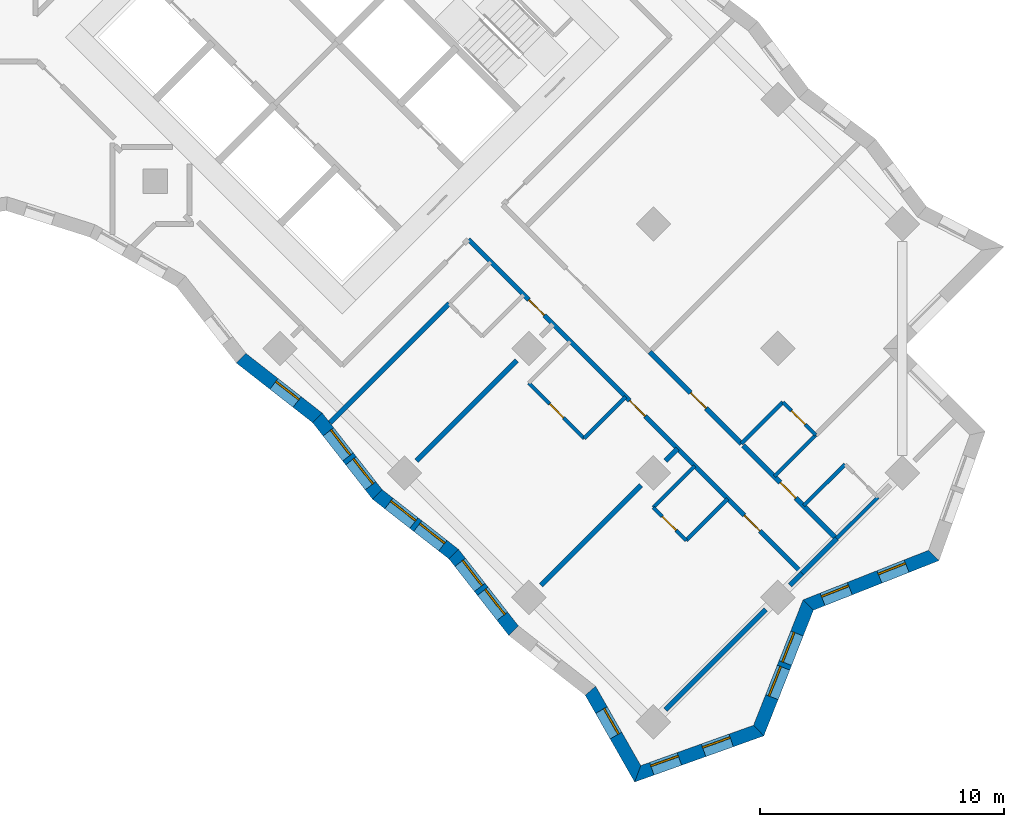
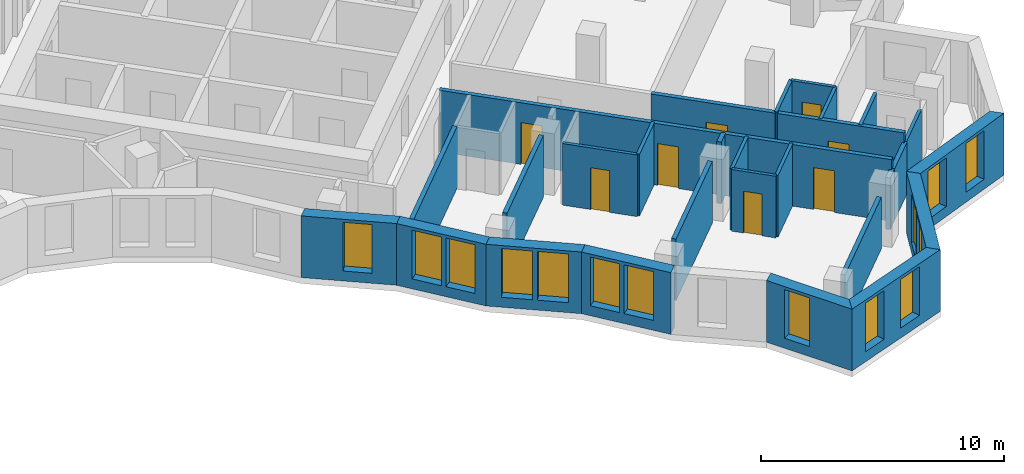
# One storey, part 8 of 13: 28 walls, 14 windows, 8 doors, 22 openings.
"""IFC4 building model written with IfcOpenShell, lengths in metres."""

from ifc_helpers import new_model, si_unit, direction, frame, frame_2d, origin, place, context, subcontext, project, spatial, polyline, rectangle, outline, extrude, material, layer, layer_set, type_object, element, fill, save


model = new_model("IFC4")

# Units and contexts
model_context = context("Model", 3, precision=1e-05, world=origin(), true_north=direction((0.0, 1.0)))
body_context = subcontext(model_context, "Body", "Model", "MODEL_VIEW")
ifc_project = project(units=[si_unit("LENGTHUNIT", "METRE"), si_unit("AREAUNIT", "SQUARE_METRE"), si_unit("VOLUMEUNIT", "CUBIC_METRE"), si_unit("PLANEANGLEUNIT", "RADIAN"), si_unit("MASSUNIT", "GRAM", prefix="KILO")], contexts=[model_context])

# Site, building, storey
site_placement = place(None, origin())
site = spatial("IfcSite", under=ifc_project, at=site_placement, CompositionType="ELEMENT")
building_placement = place(site_placement, origin())
building = spatial("IfcBuilding", under=site, at=building_placement, Name="Windrow Commons", CompositionType="ELEMENT")
storey_placement = place(building_placement, frame((0.0, 0.0, 101.6)))
storey = spatial("IfcBuildingStorey", under=building, at=storey_placement, Name="L27", CompositionType="ELEMENT", Elevation=101.6)

# Wall, openings, windows
ifc_material_1 = material(Name="Brick masonry, red clay brick", Category="masonry")
ifc_layer_1 = layer(ifc_material_1, 0.55)
ifc_layer_set_1 = layer_set([ifc_layer_1], Name="Brick facade wall 550")
wall_type_1 = type_object("IfcWallType", Name="Brick facade wall 550", PredefinedType="SOLIDWALL", material=ifc_layer_set_1)
wall_1_placement = place(storey_placement, frame((98.9244, 18.9629, 0.0), z_axis=(0.0, 0.0, 1.0), x_axis=(0.9416454192, 0.3366064533, 0.0)))
wall_1 = element("IfcWall", 1, at=wall_1_placement, inside=storey, type_object=wall_type_1, Name="Brick facade wall L27 1", PredefinedType="SOLIDWALL", context=body_context, shape_type="SweptSolid", body=[
    extrude(outline(polyline([(-0.2308, -0.275), (5.3789, -0.275), (5.1295, 0.275), (0.2308, 0.275), (-0.2308, -0.275)])), origin(), (0.0, 0.0, 1.0), 3.1),
])
opening_1_placement = place(wall_1_placement, frame((0.6113, 0.0, 0.5)))
opening_1 = element("IfcOpeningElement", 2, at=opening_1_placement, cuts=wall_1, Name="Opening W7D", PredefinedType="OPENING", context=body_context, shape_type="SweptSolid", body=[
    extrude(rectangle(XDim=1.2, YDim=2.45, at=frame_2d((0.6, 1.225))), frame((0.0, 0.285, 0.0), z_axis=(0.0, -1.0, 0.0), x_axis=(1.0, 0.0, 0.0)), (0.0, 0.0, 1.0), 0.57),
])
opening_2_placement = place(wall_1_placement, frame((2.8607, 0.0, 0.5)))
opening_2 = element("IfcOpeningElement", 3, at=opening_2_placement, cuts=wall_1, Name="Opening W7D", PredefinedType="OPENING", context=body_context, shape_type="SweptSolid", body=[
    extrude(rectangle(XDim=1.2, YDim=2.45, at=frame_2d((0.6, 1.225))), frame((0.0, 0.285, 0.0), z_axis=(0.0, -1.0, 0.0), x_axis=(1.0, 0.0, 0.0)), (0.0, 0.0, 1.0), 0.57),
])
ifc_material_2 = material(Name="Clear float glass in anodised aluminium frame", Category="aluminium")
window_type_1 = type_object("IfcWindowType", Name="Window W7 notch 1200x2450", PartitioningType="SINGLE_PANEL", PredefinedType="WINDOW", material=ifc_material_2)
window_1_placement = place(opening_1_placement, origin())
window_1 = element("IfcWindow", 4, at=window_1_placement, inside=storey, type_object=window_type_1, Name="Window L27 1.1", OverallHeight=2.45, OverallWidth=1.2, PartitioningType="SINGLE_PANEL", PredefinedType="WINDOW", context=body_context, shape_type="SweptSolid", body=[
    extrude(rectangle(XDim=1.2, YDim=2.45, at=frame_2d((0.6, 1.225))), frame((0.0, 0.155, 0.0), z_axis=(0.0, -1.0, 0.0), x_axis=(1.0, 0.0, 0.0)), (0.0, 0.0, 1.0), 0.06),
])
fill(opening_1, window_1)
window_2_placement = place(opening_2_placement, origin())
window_2 = element("IfcWindow", 5, at=window_2_placement, inside=storey, type_object=window_type_1, Name="Window L27 1.2", OverallHeight=2.45, OverallWidth=1.2, PartitioningType="SINGLE_PANEL", PredefinedType="WINDOW", context=body_context, shape_type="SweptSolid", body=[
    extrude(rectangle(XDim=1.2, YDim=2.45, at=frame_2d((0.6, 1.225))), frame((0.0, 0.155, 0.0), z_axis=(0.0, -1.0, 0.0), x_axis=(1.0, 0.0, 0.0)), (0.0, 0.0, 1.0), 0.06),
])
fill(opening_2, window_2)

wall_2_placement = place(storey_placement, frame((103.872, 20.7315, 0.0), z_axis=(0.0, 0.0, 1.0), x_axis=(0.3672341559, 0.9301285259, 0.0)))
wall_2 = element("IfcWall", 6, at=wall_2_placement, inside=storey, type_object=wall_type_1, Name="Brick facade wall L27 2", PredefinedType="SOLIDWALL", context=body_context, shape_type="SweptSolid", body=[
    extrude(outline(polyline([(-0.1247, -0.275), (5.4025, -0.275), (5.6411, 0.275), (0.1247, 0.275), (-0.1247, -0.275)])), origin(), (0.0, 0.0, 1.0), 3.1),
])
opening_3_placement = place(wall_2_placement, frame((1.4689, 0.0, 0.5)))
opening_3 = element("IfcOpeningElement", 7, at=opening_3_placement, cuts=wall_2, Name="Opening W1P", PredefinedType="OPENING", context=body_context, shape_type="SweptSolid", body=[
    extrude(rectangle(XDim=1.3, YDim=2.45, at=frame_2d((0.65, 1.225))), frame((0.0, 0.285, 0.0), z_axis=(0.0, -1.0, 0.0), x_axis=(1.0, 0.0, 0.0)), (0.0, 0.0, 1.0), 0.57),
])
opening_4_placement = place(wall_2_placement, frame((2.9689, 0.0, 0.5)))
opening_4 = element("IfcOpeningElement", 8, at=opening_4_placement, cuts=wall_2, Name="Opening W1P", PredefinedType="OPENING", context=body_context, shape_type="SweptSolid", body=[
    extrude(rectangle(XDim=1.3, YDim=2.45, at=frame_2d((0.65, 1.225))), frame((0.0, 0.285, 0.0), z_axis=(0.0, -1.0, 0.0), x_axis=(1.0, 0.0, 0.0)), (0.0, 0.0, 1.0), 0.57),
])
ifc_material_3 = material(Name="Clear float glass in anodised aluminium frame", Category="aluminium")
window_type_2 = type_object("IfcWindowType", Name="Window W1P pair 1300x2450", PartitioningType="SINGLE_PANEL", PredefinedType="WINDOW", material=ifc_material_3)
window_3_placement = place(opening_3_placement, origin())
window_3 = element("IfcWindow", 9, at=window_3_placement, inside=storey, type_object=window_type_2, Name="Window L27 2.1A", OverallHeight=2.45, OverallWidth=1.3, PartitioningType="SINGLE_PANEL", PredefinedType="WINDOW", context=body_context, shape_type="SweptSolid", body=[
    extrude(rectangle(XDim=1.3, YDim=2.45, at=frame_2d((0.65, 1.225))), frame((0.0, 0.155, 0.0), z_axis=(0.0, -1.0, 0.0), x_axis=(1.0, 0.0, 0.0)), (0.0, 0.0, 1.0), 0.06),
])
fill(opening_3, window_3)
window_4_placement = place(opening_4_placement, origin())
window_4 = element("IfcWindow", 10, at=window_4_placement, inside=storey, type_object=window_type_2, Name="Window L27 2.1B", OverallHeight=2.45, OverallWidth=1.3, PartitioningType="SINGLE_PANEL", PredefinedType="WINDOW", context=body_context, shape_type="SweptSolid", body=[
    extrude(rectangle(XDim=1.3, YDim=2.45, at=frame_2d((0.65, 1.225))), frame((0.0, 0.155, 0.0), z_axis=(0.0, -1.0, 0.0), x_axis=(1.0, 0.0, 0.0)), (0.0, 0.0, 1.0), 0.06),
])
fill(opening_4, window_4)

wall_3_placement = place(storey_placement, frame((105.8998, 25.8675, 0.0), z_axis=(0.0, 0.0, 1.0), x_axis=(0.9301285259, 0.3672341559, 0.0)))
wall_3 = element("IfcWall", 11, at=wall_3_placement, inside=storey, type_object=wall_type_1, Name="Brick facade wall L27 3", PredefinedType="SOLIDWALL", context=body_context, shape_type="SweptSolid", body=[
    extrude(outline(polyline([(0.1193, -0.275), (5.6465, -0.275), (5.3971, 0.275), (-0.1193, 0.275), (0.1193, -0.275)])), origin(), (0.0, 0.0, 1.0), 3.1),
])
opening_5_placement = place(wall_3_placement, frame((0.629, 0.0, 0.5)))
opening_5 = element("IfcOpeningElement", 12, at=opening_5_placement, cuts=wall_3, Name="Opening W7D", PredefinedType="OPENING", context=body_context, shape_type="SweptSolid", body=[
    extrude(rectangle(XDim=1.2, YDim=2.45, at=frame_2d((0.6, 1.225))), frame((0.0, 0.285, 0.0), z_axis=(0.0, -1.0, 0.0), x_axis=(1.0, 0.0, 0.0)), (0.0, 0.0, 1.0), 0.57),
])
opening_6_placement = place(wall_3_placement, frame((3.1275, 0.0, 0.5)))
opening_6 = element("IfcOpeningElement", 13, at=opening_6_placement, cuts=wall_3, Name="Opening W7D", PredefinedType="OPENING", context=body_context, shape_type="SweptSolid", body=[
    extrude(rectangle(XDim=1.2, YDim=2.45, at=frame_2d((0.6, 1.225))), frame((0.0, 0.285, 0.0), z_axis=(0.0, -1.0, 0.0), x_axis=(1.0, 0.0, 0.0)), (0.0, 0.0, 1.0), 0.57),
])
window_5_placement = place(opening_5_placement, origin())
window_5 = element("IfcWindow", 14, at=window_5_placement, inside=storey, type_object=window_type_1, Name="Window L27 3.1", OverallHeight=2.45, OverallWidth=1.2, PartitioningType="SINGLE_PANEL", PredefinedType="WINDOW", context=body_context, shape_type="SweptSolid", body=[
    extrude(rectangle(XDim=1.2, YDim=2.45, at=frame_2d((0.6, 1.225))), frame((0.0, 0.155, 0.0), z_axis=(0.0, -1.0, 0.0), x_axis=(1.0, 0.0, 0.0)), (0.0, 0.0, 1.0), 0.06),
])
fill(opening_5, window_5)
window_6_placement = place(opening_6_placement, origin())
window_6 = element("IfcWindow", 15, at=window_6_placement, inside=storey, type_object=window_type_1, Name="Window L27 3.2", OverallHeight=2.45, OverallWidth=1.2, PartitioningType="SINGLE_PANEL", PredefinedType="WINDOW", context=body_context, shape_type="SweptSolid", body=[
    extrude(rectangle(XDim=1.2, YDim=2.45, at=frame_2d((0.6, 1.225))), frame((0.0, 0.155, 0.0), z_axis=(0.0, -1.0, 0.0), x_axis=(1.0, 0.0, 0.0)), (0.0, 0.0, 1.0), 0.06),
])
fill(opening_6, window_6)

# Wall, opening, window
wall_4_placement = place(storey_placement, frame((82.7009, 35.9652, 0.0), z_axis=(0.0, 0.0, 1.0), x_axis=(0.7877313819, -0.6160188877, 0.0)))
wall_4 = element("IfcWall", 16, at=wall_4_placement, inside=storey, type_object=wall_type_1, Name="Brick facade wall L27 54", PredefinedType="SOLIDWALL", context=body_context, shape_type="SweptSolid", body=[
    extrude(outline(polyline([(-0.0336, -0.275), (3.9364, -0.275), (4.0037, 0.275), (0.0336, 0.275), (-0.0336, -0.275)])), origin(), (0.0, 0.0, 1.0), 3.1),
])
opening_7_placement = place(wall_4_placement, frame((1.7102, 0.0, 0.5)))
opening_7 = element("IfcOpeningElement", 17, at=opening_7_placement, cuts=wall_4, Name="Opening W7D", PredefinedType="OPENING", context=body_context, shape_type="SweptSolid", body=[
    extrude(rectangle(XDim=1.2, YDim=2.45, at=frame_2d((0.6, 1.225))), frame((0.0, 0.285, 0.0), z_axis=(0.0, -1.0, 0.0), x_axis=(1.0, 0.0, 0.0)), (0.0, 0.0, 1.0), 0.57),
])
window_7_placement = place(opening_7_placement, origin())
window_7 = element("IfcWindow", 18, at=window_7_placement, inside=storey, type_object=window_type_1, Name="Window L27 54.1", OverallHeight=2.45, OverallWidth=1.2, PartitioningType="SINGLE_PANEL", PredefinedType="WINDOW", context=body_context, shape_type="SweptSolid", body=[
    extrude(rectangle(XDim=1.2, YDim=2.45, at=frame_2d((0.6, 1.225))), frame((0.0, 0.155, 0.0), z_axis=(0.0, -1.0, 0.0), x_axis=(1.0, 0.0, 0.0)), (0.0, 0.0, 1.0), 0.06),
])
fill(opening_7, window_7)

# Wall, openings, windows
wall_5_placement = place(storey_placement, frame((85.8282, 33.5196, 0.0), z_axis=(0.0, 0.0, 1.0), x_axis=(0.6160188877, -0.7877313819, 0.0)))
wall_5 = element("IfcWall", 19, at=wall_5_placement, inside=storey, type_object=wall_type_1, Name="Brick facade wall L27 55", PredefinedType="SOLIDWALL", context=body_context, shape_type="SweptSolid", body=[
    extrude(outline(polyline([(0.0336, -0.275), (4.0037, -0.275), (3.9364, 0.275), (-0.0336, 0.275), (0.0336, -0.275)])), origin(), (0.0, 0.0, 1.0), 3.1),
])
opening_8_placement = place(wall_5_placement, frame((0.7218, 0.0, 0.5)))
opening_8 = element("IfcOpeningElement", 20, at=opening_8_placement, cuts=wall_5, Name="Opening W1P", PredefinedType="OPENING", context=body_context, shape_type="SweptSolid", body=[
    extrude(rectangle(XDim=1.3, YDim=2.45, at=frame_2d((0.65, 1.225))), frame((0.0, 0.285, 0.0), z_axis=(0.0, -1.0, 0.0), x_axis=(1.0, 0.0, 0.0)), (0.0, 0.0, 1.0), 0.57),
])
opening_9_placement = place(wall_5_placement, frame((2.2218, 0.0, 0.5)))
opening_9 = element("IfcOpeningElement", 21, at=opening_9_placement, cuts=wall_5, Name="Opening W1P", PredefinedType="OPENING", context=body_context, shape_type="SweptSolid", body=[
    extrude(rectangle(XDim=1.3, YDim=2.45, at=frame_2d((0.65, 1.225))), frame((0.0, 0.285, 0.0), z_axis=(0.0, -1.0, 0.0), x_axis=(1.0, 0.0, 0.0)), (0.0, 0.0, 1.0), 0.57),
])
window_8_placement = place(opening_8_placement, origin())
window_8 = element("IfcWindow", 22, at=window_8_placement, inside=storey, type_object=window_type_2, Name="Window L27 55.1A", OverallHeight=2.45, OverallWidth=1.3, PartitioningType="SINGLE_PANEL", PredefinedType="WINDOW", context=body_context, shape_type="SweptSolid", body=[
    extrude(rectangle(XDim=1.3, YDim=2.45, at=frame_2d((0.65, 1.225))), frame((0.0, 0.155, 0.0), z_axis=(0.0, -1.0, 0.0), x_axis=(1.0, 0.0, 0.0)), (0.0, 0.0, 1.0), 0.06),
])
fill(opening_8, window_8)
window_9_placement = place(opening_9_placement, origin())
window_9 = element("IfcWindow", 23, at=window_9_placement, inside=storey, type_object=window_type_2, Name="Window L27 55.1B", OverallHeight=2.45, OverallWidth=1.3, PartitioningType="SINGLE_PANEL", PredefinedType="WINDOW", context=body_context, shape_type="SweptSolid", body=[
    extrude(rectangle(XDim=1.3, YDim=2.45, at=frame_2d((0.65, 1.225))), frame((0.0, 0.155, 0.0), z_axis=(0.0, -1.0, 0.0), x_axis=(1.0, 0.0, 0.0)), (0.0, 0.0, 1.0), 0.06),
])
fill(opening_9, window_9)

wall_6_placement = place(storey_placement, frame((88.2738, 30.3923, 0.0), z_axis=(0.0, 0.0, 1.0), x_axis=(0.7877191588, -0.6160345176, 0.0)))
wall_6 = element("IfcWall", 24, at=wall_6_placement, inside=storey, type_object=wall_type_1, Name="Brick facade wall L27 56", PredefinedType="SOLIDWALL", context=body_context, shape_type="SweptSolid", body=[
    extrude(outline(polyline([(-0.0336, -0.275), (3.9364, -0.275), (4.0037, 0.275), (0.0336, 0.275), (-0.0336, -0.275)])), origin(), (0.0, 0.0, 1.0), 3.1),
])
opening_10_placement = place(wall_6_placement, frame((0.6018, 0.0, 0.5)))
opening_10 = element("IfcOpeningElement", 25, at=opening_10_placement, cuts=wall_6, Name="Opening W1P", PredefinedType="OPENING", context=body_context, shape_type="SweptSolid", body=[
    extrude(rectangle(XDim=1.3, YDim=2.45, at=frame_2d((0.65, 1.225))), frame((0.0, 0.285, 0.0), z_axis=(0.0, -1.0, 0.0), x_axis=(1.0, 0.0, 0.0)), (0.0, 0.0, 1.0), 0.57),
])
opening_11_placement = place(wall_6_placement, frame((2.1018, 0.0, 0.5)))
opening_11 = element("IfcOpeningElement", 26, at=opening_11_placement, cuts=wall_6, Name="Opening W1P", PredefinedType="OPENING", context=body_context, shape_type="SweptSolid", body=[
    extrude(rectangle(XDim=1.3, YDim=2.45, at=frame_2d((0.65, 1.225))), frame((0.0, 0.285, 0.0), z_axis=(0.0, -1.0, 0.0), x_axis=(1.0, 0.0, 0.0)), (0.0, 0.0, 1.0), 0.57),
])
window_10_placement = place(opening_10_placement, origin())
window_10 = element("IfcWindow", 27, at=window_10_placement, inside=storey, type_object=window_type_2, Name="Window L27 56.1A", OverallHeight=2.45, OverallWidth=1.3, PartitioningType="SINGLE_PANEL", PredefinedType="WINDOW", context=body_context, shape_type="SweptSolid", body=[
    extrude(rectangle(XDim=1.3, YDim=2.45, at=frame_2d((0.65, 1.225))), frame((0.0, 0.155, 0.0), z_axis=(0.0, -1.0, 0.0), x_axis=(1.0, 0.0, 0.0)), (0.0, 0.0, 1.0), 0.06),
])
fill(opening_10, window_10)
window_11_placement = place(opening_11_placement, origin())
window_11 = element("IfcWindow", 28, at=window_11_placement, inside=storey, type_object=window_type_2, Name="Window L27 56.1B", OverallHeight=2.45, OverallWidth=1.3, PartitioningType="SINGLE_PANEL", PredefinedType="WINDOW", context=body_context, shape_type="SweptSolid", body=[
    extrude(rectangle(XDim=1.3, YDim=2.45, at=frame_2d((0.65, 1.225))), frame((0.0, 0.155, 0.0), z_axis=(0.0, -1.0, 0.0), x_axis=(1.0, 0.0, 0.0)), (0.0, 0.0, 1.0), 0.06),
])
fill(opening_11, window_11)

wall_7_placement = place(storey_placement, frame((91.4011, 27.9466, 0.0), z_axis=(0.0, 0.0, 1.0), x_axis=(0.6160345176, -0.7877191588, 0.0)))
wall_7 = element("IfcWall", 29, at=wall_7_placement, inside=storey, type_object=wall_type_1, Name="Brick facade wall L27 57", PredefinedType="SOLIDWALL", context=body_context, shape_type="SweptSolid", body=[
    extrude(outline(polyline([(0.0336, -0.275), (4.0037, -0.275), (3.9364, 0.275), (-0.0336, 0.275), (0.0336, -0.275)])), origin(), (0.0, 0.0, 1.0), 3.1),
])
opening_12_placement = place(wall_7_placement, frame((0.4238, 0.0, 0.5)))
opening_12 = element("IfcOpeningElement", 30, at=opening_12_placement, cuts=wall_7, Name="Opening W1P", PredefinedType="OPENING", context=body_context, shape_type="SweptSolid", body=[
    extrude(rectangle(XDim=1.3, YDim=2.45, at=frame_2d((0.65, 1.225))), frame((0.0, 0.285, 0.0), z_axis=(0.0, -1.0, 0.0), x_axis=(1.0, 0.0, 0.0)), (0.0, 0.0, 1.0), 0.57),
])
opening_13_placement = place(wall_7_placement, frame((1.9238, 0.0, 0.5)))
opening_13 = element("IfcOpeningElement", 31, at=opening_13_placement, cuts=wall_7, Name="Opening W1P", PredefinedType="OPENING", context=body_context, shape_type="SweptSolid", body=[
    extrude(rectangle(XDim=1.3, YDim=2.45, at=frame_2d((0.65, 1.225))), frame((0.0, 0.285, 0.0), z_axis=(0.0, -1.0, 0.0), x_axis=(1.0, 0.0, 0.0)), (0.0, 0.0, 1.0), 0.57),
])
window_12_placement = place(opening_12_placement, origin())
window_12 = element("IfcWindow", 32, at=window_12_placement, inside=storey, type_object=window_type_2, Name="Window L27 57.1A", OverallHeight=2.45, OverallWidth=1.3, PartitioningType="SINGLE_PANEL", PredefinedType="WINDOW", context=body_context, shape_type="SweptSolid", body=[
    extrude(rectangle(XDim=1.3, YDim=2.45, at=frame_2d((0.65, 1.225))), frame((0.0, 0.155, 0.0), z_axis=(0.0, -1.0, 0.0), x_axis=(1.0, 0.0, 0.0)), (0.0, 0.0, 1.0), 0.06),
])
fill(opening_12, window_12)
window_13_placement = place(opening_13_placement, origin())
window_13 = element("IfcWindow", 33, at=window_13_placement, inside=storey, type_object=window_type_2, Name="Window L27 57.1B", OverallHeight=2.45, OverallWidth=1.3, PartitioningType="SINGLE_PANEL", PredefinedType="WINDOW", context=body_context, shape_type="SweptSolid", body=[
    extrude(rectangle(XDim=1.3, YDim=2.45, at=frame_2d((0.65, 1.225))), frame((0.0, 0.155, 0.0), z_axis=(0.0, -1.0, 0.0), x_axis=(1.0, 0.0, 0.0)), (0.0, 0.0, 1.0), 0.06),
])
fill(opening_13, window_13)

# Wall, opening, window
wall_8_placement = place(storey_placement, frame((96.9904, 22.361, 0.0), z_axis=(0.0, 0.0, 1.0), x_axis=(0.4946398394, -0.869098055, 0.0)))
wall_8 = element("IfcWall", 34, at=wall_8_placement, inside=storey, type_object=wall_type_1, Name="Brick facade wall L27 59", PredefinedType="SOLIDWALL", context=body_context, shape_type="SweptSolid", body=[
    extrude(outline(polyline([(0.0543, -0.275), (4.1408, -0.275), (3.6791, 0.275), (-0.0543, 0.275), (0.0543, -0.275)])), origin(), (0.0, 0.0, 1.0), 3.1),
])
opening_14_placement = place(wall_8_placement, frame((0.9104, 0.0, 0.5)))
opening_14 = element("IfcOpeningElement", 35, at=opening_14_placement, cuts=wall_8, Name="Opening W7D", PredefinedType="OPENING", context=body_context, shape_type="SweptSolid", body=[
    extrude(rectangle(XDim=1.2, YDim=2.45, at=frame_2d((0.6, 1.225))), frame((0.0, 0.285, 0.0), z_axis=(0.0, -1.0, 0.0), x_axis=(1.0, 0.0, 0.0)), (0.0, 0.0, 1.0), 0.57),
])
window_14_placement = place(opening_14_placement, origin())
window_14 = element("IfcWindow", 36, at=window_14_placement, inside=storey, type_object=window_type_1, Name="Window L27 59.1", OverallHeight=2.45, OverallWidth=1.2, PartitioningType="SINGLE_PANEL", PredefinedType="WINDOW", context=body_context, shape_type="SweptSolid", body=[
    extrude(rectangle(XDim=1.2, YDim=2.45, at=frame_2d((0.6, 1.225))), frame((0.0, 0.155, 0.0), z_axis=(0.0, -1.0, 0.0), x_axis=(1.0, 0.0, 0.0)), (0.0, 0.0, 1.0), 0.06),
])
fill(opening_14, window_14)

# Wall, openings, doors
ifc_material_4 = material(Name="Blockwork partition", Category="masonry")
ifc_layer_2 = layer(ifc_material_4, 0.2)
ifc_layer_set_2 = layer_set([ifc_layer_2], Name="IW-CORRIDOR-200")
wall_type_2 = type_object("IfcWallType", Name="IW-CORRIDOR-200", PredefinedType="PARTITIONING", material=ifc_layer_set_2)
wall_9_placement = place(storey_placement, frame((92.0035, 40.8195, 0.0), z_axis=(0.0, 0.0, 1.0), x_axis=(0.7071067812, -0.7071067812, 0.0)))
wall_9 = element("IfcWall", 37, at=wall_9_placement, inside=storey, type_object=wall_type_2, Name="W-L27-W002", PredefinedType="PARTITIONING", context=body_context, shape_type="SweptSolid", body=[
    extrude(rectangle(XDim=19.2984, YDim=0.2, at=frame_2d((9.6492, 0.0))), origin(), (0.0, 0.0, 1.0), 3.1),
])
opening_15_placement = place(wall_9_placement, frame((3.4886, 0.0, 0.0)))
opening_15 = element("IfcOpeningElement", 38, at=opening_15_placement, cuts=wall_9, Name="Opening D109S", PredefinedType="OPENING", context=body_context, shape_type="SweptSolid", body=[
    extrude(rectangle(XDim=0.9, YDim=2.1, at=frame_2d((0.45, 1.05))), frame((0.0, 0.11, 0.0), z_axis=(0.0, -1.0, 0.0), x_axis=(1.0, 0.0, 0.0)), (0.0, 0.0, 1.0), 0.22),
])
opening_16_placement = place(wall_9_placement, frame((9.3186, 0.0, 0.0)))
opening_16 = element("IfcOpeningElement", 39, at=opening_16_placement, cuts=wall_9, Name="Opening D109F", PredefinedType="OPENING", context=body_context, shape_type="SweptSolid", body=[
    extrude(rectangle(XDim=0.9, YDim=2.1, at=frame_2d((0.45, 1.05))), frame((0.0, 0.11, 0.0), z_axis=(0.0, -1.0, 0.0), x_axis=(1.0, 0.0, 0.0)), (0.0, 0.0, 1.0), 0.22),
])
opening_17_placement = place(wall_9_placement, frame((15.9611, 0.0, 0.0)))
opening_17 = element("IfcOpeningElement", 40, at=opening_17_placement, cuts=wall_9, Name="Opening D109F", PredefinedType="OPENING", context=body_context, shape_type="SweptSolid", body=[
    extrude(rectangle(XDim=0.9, YDim=2.1, at=frame_2d((0.45, 1.05))), frame((0.0, 0.11, 0.0), z_axis=(0.0, -1.0, 0.0), x_axis=(1.0, 0.0, 0.0)), (0.0, 0.0, 1.0), 0.22),
])
ifc_material_5 = material(Name="Timber door leaf", Category="wood")
door_type_1 = type_object("IfcDoorType", Name="DT-BEDROOM-900", OperationType="SINGLE_SWING_LEFT", PredefinedType="DOOR", material=ifc_material_5)
door_1_placement = place(opening_15_placement, origin())
door_1 = element("IfcDoor", 41, at=door_1_placement, inside=storey, type_object=door_type_1, Name="D-L27-D047", OperationType="SINGLE_SWING_LEFT", OverallHeight=2.1, OverallWidth=0.9, PredefinedType="DOOR", context=body_context, shape_type="SweptSolid", body=[
    extrude(rectangle(XDim=0.9, YDim=2.1, at=frame_2d((0.45, 1.05))), frame((0.0, 0.025, 0.0), z_axis=(0.0, -1.0, 0.0), x_axis=(1.0, 0.0, 0.0)), (0.0, 0.0, 1.0), 0.05),
])
fill(opening_15, door_1)
door_2_placement = place(opening_16_placement, origin())
door_2 = element("IfcDoor", 42, at=door_2_placement, inside=storey, type_object=door_type_1, Name="D-L27-D049", OperationType="SINGLE_SWING_RIGHT", OverallHeight=2.1, OverallWidth=0.9, PredefinedType="DOOR", context=body_context, shape_type="SweptSolid", body=[
    extrude(rectangle(XDim=0.9, YDim=2.1, at=frame_2d((0.45, 1.05))), frame((0.0, 0.025, 0.0), z_axis=(0.0, -1.0, 0.0), x_axis=(1.0, 0.0, 0.0)), (0.0, 0.0, 1.0), 0.05),
])
fill(opening_16, door_2)
door_3_placement = place(opening_17_placement, origin())
door_3 = element("IfcDoor", 43, at=door_3_placement, inside=storey, type_object=door_type_1, Name="D-L27-D051", OperationType="SINGLE_SWING_RIGHT", OverallHeight=2.1, OverallWidth=0.9, PredefinedType="DOOR", context=body_context, shape_type="SweptSolid", body=[
    extrude(rectangle(XDim=0.9, YDim=2.1, at=frame_2d((0.45, 1.05))), frame((0.0, 0.025, 0.0), z_axis=(0.0, -1.0, 0.0), x_axis=(1.0, 0.0, 0.0)), (0.0, 0.0, 1.0), 0.05),
])
fill(opening_17, door_3)

# Wall, opening, door
wall_10_placement = place(storey_placement, frame((103.2386, 32.3986, 0.0), z_axis=(0.0, 0.0, 1.0), x_axis=(0.7071067812, -0.7071067812, 0.0)))
wall_10 = element("IfcWall", 44, at=wall_10_placement, inside=storey, type_object=wall_type_2, Name="W-L27-W035", PredefinedType="PARTITIONING", context=body_context, shape_type="SweptSolid", body=[
    extrude(rectangle(XDim=5.3995, YDim=0.2, at=frame_2d((2.6997, 0.0))), origin(), (0.0, 0.0, 1.0), 3.1),
])
opening_18_placement = place(wall_10_placement, frame((2.1497, 0.0, 0.0)))
opening_18 = element("IfcOpeningElement", 45, at=opening_18_placement, cuts=wall_10, Name="Opening D109S", PredefinedType="OPENING", context=body_context, shape_type="SweptSolid", body=[
    extrude(rectangle(XDim=0.9, YDim=2.1, at=frame_2d((0.45, 1.05))), frame((0.0, 0.11, 0.0), z_axis=(0.0, -1.0, 0.0), x_axis=(1.0, 0.0, 0.0)), (0.0, 0.0, 1.0), 0.22),
])
door_4_placement = place(opening_18_placement, origin())
door_4 = element("IfcDoor", 46, at=door_4_placement, inside=storey, type_object=door_type_1, Name="D-L27-D053", OperationType="SINGLE_SWING_RIGHT", OverallHeight=2.1, OverallWidth=0.9, PredefinedType="DOOR", context=body_context, shape_type="SweptSolid", body=[
    extrude(rectangle(XDim=0.9, YDim=2.1, at=frame_2d((0.45, 1.05))), frame((0.0, 0.025, 0.0), z_axis=(0.0, -1.0, 0.0), x_axis=(1.0, 0.0, 0.0)), (0.0, 0.0, 1.0), 0.05),
])
fill(opening_18, door_4)

wall_11_placement = place(storey_placement, frame((103.1676, 32.4696, 0.0), z_axis=(0.0, 0.0, 1.0), x_axis=(-0.7067858967, 0.7074275201, 0.0)))
wall_11 = element("IfcWall", 47, at=wall_11_placement, inside=storey, type_object=wall_type_2, Name="W-L27-W036", PredefinedType="PARTITIONING", context=body_context, shape_type="SweptSolid", body=[
    extrude(rectangle(XDim=5.2991, YDim=0.2, at=frame_2d((2.6496, 0.0))), origin(), (0.0, 0.0, 1.0), 3.1),
])
opening_19_placement = place(wall_11_placement, frame((2.0433, 0.0, 0.0)))
opening_19 = element("IfcOpeningElement", 48, at=opening_19_placement, cuts=wall_11, Name="Opening D109F", PredefinedType="OPENING", context=body_context, shape_type="SweptSolid", body=[
    extrude(rectangle(XDim=0.9, YDim=2.1, at=frame_2d((0.45, 1.05))), frame((0.0, 0.11, 0.0), z_axis=(0.0, -1.0, 0.0), x_axis=(1.0, 0.0, 0.0)), (0.0, 0.0, 1.0), 0.22),
])
door_5_placement = place(opening_19_placement, origin())
door_5 = element("IfcDoor", 49, at=door_5_placement, inside=storey, type_object=door_type_1, Name="D-L27-D044", OperationType="SINGLE_SWING_RIGHT", OverallHeight=2.1, OverallWidth=0.9, PredefinedType="DOOR", context=body_context, shape_type="SweptSolid", body=[
    extrude(rectangle(XDim=0.9, YDim=2.1, at=frame_2d((0.45, 1.05))), frame((0.0, 0.025, 0.0), z_axis=(0.0, -1.0, 0.0), x_axis=(1.0, 0.0, 0.0)), (0.0, 0.0, 1.0), 0.05),
])
fill(opening_19, door_5)

# Wall
wall_12_placement = place(storey_placement, frame((105.6454, 27.1706, 0.0), z_axis=(0.0, 0.0, 1.0), x_axis=(0.7071067812, 0.7071067812, 0.0)))
element("IfcWall", 50, at=wall_12_placement, inside=storey, type_object=wall_type_2, Name="W-L27-W110", PredefinedType="PARTITIONING", context=body_context, shape_type="SweptSolid", body=[
    extrude(rectangle(XDim=1.9997, YDim=0.2, at=frame_2d((0.9999, 0.0))), origin(), (0.0, 0.0, 1.0), 2.6),
])

# Wall, opening, door
ifc_material_6 = material(Name="Blockwork partition", Category="masonry")
ifc_layer_3 = layer(ifc_material_6, 0.15)
ifc_layer_set_3 = layer_set([ifc_layer_3], Name="IW-ENSUITE-150")
wall_type_3 = type_object("IfcWallType", Name="IW-ENSUITE-150", PredefinedType="PARTITIONING", material=ifc_layer_set_3)
wall_13_placement = place(storey_placement, frame((94.4713, 34.9453, 0.0), z_axis=(0.0, 0.0, 1.0), x_axis=(0.7067942478, -0.7074191764, 0.0)))
wall_13 = element("IfcWall", 51, at=wall_13_placement, inside=storey, type_object=wall_type_3, Name="W-L27-W057", PredefinedType="PARTITIONING", context=body_context, shape_type="SweptSolid", body=[
    extrude(rectangle(XDim=3.2004, YDim=0.15, at=frame_2d((1.6002, 0.0))), origin(), (0.0, 0.0, 1.0), 3.1),
])
opening_20_placement = place(wall_13_placement, frame((1.2061, 0.0, 0.0)))
opening_20 = element("IfcOpeningElement", 52, at=opening_20_placement, cuts=wall_13, Name="Opening D208N", PredefinedType="OPENING", context=body_context, shape_type="SweptSolid", body=[
    extrude(rectangle(XDim=0.8, YDim=2.1, at=frame_2d((0.4, 1.05))), frame((0.0, 0.085, 0.0), z_axis=(0.0, -1.0, 0.0), x_axis=(1.0, 0.0, 0.0)), (0.0, 0.0, 1.0), 0.17),
])
ifc_material_7 = material(Name="Timber door leaf", Category="wood")
door_type_2 = type_object("IfcDoorType", Name="DT-ENSUITE-800", OperationType="SINGLE_SWING_LEFT", PredefinedType="DOOR", material=ifc_material_7)
door_6_placement = place(opening_20_placement, origin())
door_6 = element("IfcDoor", 53, at=door_6_placement, inside=storey, type_object=door_type_2, Name="D-L27-D050", OperationType="SINGLE_SWING_RIGHT", OverallHeight=2.1, OverallWidth=0.8, PredefinedType="DOOR", context=body_context, shape_type="SweptSolid", body=[
    extrude(rectangle(XDim=0.8, YDim=2.1, at=frame_2d((0.4, 1.05))), frame((0.0, 0.025, 0.0), z_axis=(0.0, -1.0, 0.0), x_axis=(1.0, 0.0, 0.0)), (0.0, 0.0, 1.0), 0.05),
])
fill(opening_20, door_6)

# Walls
for number, where, z_axis, x_axis, name in (
    (54, (96.7349, 32.6851, 0.0), (0.0, 0.0, 1.0), (0.7071067812, 0.7071067812, 0.0), "W-L27-W066"),
    (55, (103.1693, 32.4727, 0.0), (0.0, 0.0, 1.0), (0.7071067812, 0.7071067812, 0.0), "W-L27-W067"),
    (56, (99.5633, 29.8567, 0.0), (0.0, 0.0, 1.0), (0.7071067812, 0.7071067812, 0.0), "W-L27-W068"),
    (57, (100.9068, 28.5132, 0.0), (0.0, 0.0, 1.0), (0.7071067812, 0.7071067812, 0.0), "W-L27-W069"),
):
    element("IfcWall", number, at=place(storey_placement, frame(where, z_axis=z_axis, x_axis=x_axis)), inside=storey, type_object=wall_type_3, Name=name, PredefinedType="PARTITIONING", context=body_context, shape_type="SweptSolid", body=[
        extrude(rectangle(XDim=2.4013, YDim=0.15, at=frame_2d((1.2006, 0.0))), origin(), (0.0, 0.0, 1.0), 3.1),
    ])
for number, where, z_axis, x_axis, name in (
    (58, (104.5113, 31.1327, 0.0), (0.0, 0.0, 1.0), (0.7075233388, 0.706689978, 0.0), "W-L27-W092"),
    (59, (105.7134, 29.9306, 0.0), (0.0, 0.0, 1.0), (0.7075233388, 0.706689978, 0.0), "W-L27-W093"),
):
    element("IfcWall", number, at=place(storey_placement, frame(where, z_axis=z_axis, x_axis=x_axis)), inside=storey, type_object=wall_type_3, Name=name, PredefinedType="PARTITIONING", context=body_context, shape_type="SweptSolid", body=[
        extrude(rectangle(XDim=2.3999, YDim=0.15, at=frame_2d((1.2, 0.0))), origin(), (0.0, 0.0, 1.0), 3.1),
    ])
wall_14_placement = place(storey_placement, frame((107.0569, 28.5871, 0.0), z_axis=(0.0, 0.0, 1.0), x_axis=(0.7075233388, 0.706689978, 0.0)))
element("IfcWall", 60, at=wall_14_placement, inside=storey, type_object=wall_type_3, Name="W-L27-W094", PredefinedType="PARTITIONING", context=body_context, shape_type="SweptSolid", body=[
    extrude(rectangle(XDim=2.3999, YDim=0.15, at=frame_2d((1.2, 0.0))), origin(), (0.0, 0.0, 1.0), 2.6),
])

# Wall, opening, door
wall_15_placement = place(storey_placement, frame((99.5613, 29.8533, 0.0), z_axis=(0.0, 0.0, 1.0), x_axis=(0.7071067812, -0.7071067812, 0.0)))
wall_15 = element("IfcWall", 61, at=wall_15_placement, inside=storey, type_object=wall_type_3, Name="W-L27-W115", PredefinedType="PARTITIONING", context=body_context, shape_type="SweptSolid", body=[
    extrude(rectangle(XDim=1.9007, YDim=0.15, at=frame_2d((0.9504, 0.0))), origin(), (0.0, 0.0, 1.0), 3.1),
])
opening_21_placement = place(wall_15_placement, frame((0.5195, 0.0, 0.0)))
opening_21 = element("IfcOpeningElement", 62, at=opening_21_placement, cuts=wall_15, Name="Opening D208N", PredefinedType="OPENING", context=body_context, shape_type="SweptSolid", body=[
    extrude(rectangle(XDim=0.8, YDim=2.1, at=frame_2d((0.4, 1.05))), frame((0.0, 0.085, 0.0), z_axis=(0.0, -1.0, 0.0), x_axis=(1.0, 0.0, 0.0)), (0.0, 0.0, 1.0), 0.17),
])
door_7_placement = place(opening_21_placement, origin())
door_7 = element("IfcDoor", 63, at=door_7_placement, inside=storey, type_object=door_type_2, Name="D-L27-D052", OperationType="SINGLE_SWING_RIGHT", OverallHeight=2.1, OverallWidth=0.8, PredefinedType="DOOR", context=body_context, shape_type="SweptSolid", body=[
    extrude(rectangle(XDim=0.8, YDim=2.1, at=frame_2d((0.4, 1.05))), frame((0.0, 0.025, 0.0), z_axis=(0.0, -1.0, 0.0), x_axis=(1.0, 0.0, 0.0)), (0.0, 0.0, 1.0), 0.05),
])
fill(opening_21, door_7)

wall_16_placement = place(storey_placement, frame((104.8647, 34.1667, 0.0), z_axis=(0.0, 0.0, 1.0), x_axis=(0.7071067812, -0.7071067812, 0.0)))
wall_16 = element("IfcWall", 64, at=wall_16_placement, inside=storey, type_object=wall_type_3, Name="W-L27-W117", PredefinedType="PARTITIONING", context=body_context, shape_type="SweptSolid", body=[
    extrude(rectangle(XDim=1.9007, YDim=0.15, at=frame_2d((0.9504, 0.0))), origin(), (0.0, 0.0, 1.0), 3.1),
])
opening_22_placement = place(wall_16_placement, frame((0.4932, 0.0, 0.0)))
opening_22 = element("IfcOpeningElement", 65, at=opening_22_placement, cuts=wall_16, Name="Opening D208N", PredefinedType="OPENING", context=body_context, shape_type="SweptSolid", body=[
    extrude(rectangle(XDim=0.8, YDim=2.1, at=frame_2d((0.4, 1.05))), frame((0.0, 0.085, 0.0), z_axis=(0.0, -1.0, 0.0), x_axis=(1.0, 0.0, 0.0)), (0.0, 0.0, 1.0), 0.17),
])
door_8_placement = place(opening_22_placement, origin())
door_8 = element("IfcDoor", 66, at=door_8_placement, inside=storey, type_object=door_type_2, Name="D-L27-D045", OperationType="SINGLE_SWING_RIGHT", OverallHeight=2.1, OverallWidth=0.8, PredefinedType="DOOR", context=body_context, shape_type="SweptSolid", body=[
    extrude(rectangle(XDim=0.8, YDim=2.1, at=frame_2d((0.4, 1.05))), frame((0.0, 0.025, 0.0), z_axis=(0.0, -1.0, 0.0), x_axis=(1.0, 0.0, 0.0)), (0.0, 0.0, 1.0), 0.05),
])
fill(opening_22, door_8)

# Walls
ifc_material_8 = material(Name="Blockwork partition", Category="masonry")
ifc_layer_4 = layer(ifc_material_8, 0.2)
ifc_layer_set_4 = layer_set([ifc_layer_4], Name="IW-PARTY-200")
wall_type_4 = type_object("IfcWallType", Name="IW-PARTY-200", PredefinedType="PARTITIONING", material=ifc_layer_set_4)
wall_17_placement = place(storey_placement, frame((86.3372, 33.3151, 0.0), z_axis=(0.0, 0.0, 1.0), x_axis=(0.7069692223, 0.7072443133, 0.0)))
element("IfcWall", 67, at=wall_17_placement, inside=storey, type_object=wall_type_4, Name="W-L27-W022", PredefinedType="PARTITIONING", context=body_context, shape_type="SweptSolid", body=[
    extrude(rectangle(XDim=6.9068, YDim=0.2, at=frame_2d((3.4534, 0.0))), origin(), (0.0, 0.0, 1.0), 3.1),
])
wall_18_placement = place(storey_placement, frame((89.881, 31.771, 0.0), z_axis=(0.0, 0.0, 1.0), x_axis=(0.7071067812, 0.7071067812, 0.0)))
element("IfcWall", 68, at=wall_18_placement, inside=storey, type_object=wall_type_4, Name="W-L27-W030", PredefinedType="PARTITIONING", context=body_context, shape_type="SweptSolid", body=[
    extrude(rectangle(XDim=5.787, YDim=0.2, at=frame_2d((2.8935, 0.0))), origin(), (0.0, 0.0, 1.0), 3.1),
])
wall_19_placement = place(storey_placement, frame((100.0634, 21.5886, 0.0), z_axis=(0.0, 0.0, 1.0), x_axis=(0.7071067812, 0.7071067812, 0.0)))
element("IfcWall", 69, at=wall_19_placement, inside=storey, type_object=wall_type_4, Name="W-L27-W031", PredefinedType="PARTITIONING", context=body_context, shape_type="SweptSolid", body=[
    extrude(rectangle(XDim=5.787, YDim=0.2, at=frame_2d((2.8935, 0.0))), origin(), (0.0, 0.0, 1.0), 2.6),
])
wall_20_placement = place(storey_placement, frame((94.9732, 26.6808, 0.0), z_axis=(0.0, 0.0, 1.0), x_axis=(0.7071067812, 0.7071067812, 0.0)))
element("IfcWall", 70, at=wall_20_placement, inside=storey, type_object=wall_type_4, Name="W-L27-W032", PredefinedType="PARTITIONING", context=body_context, shape_type="SweptSolid", body=[
    extrude(rectangle(XDim=5.7841, YDim=0.2, at=frame_2d((2.892, 0.0))), origin(), (0.0, 0.0, 1.0), 3.1),
])
wall_21_placement = place(storey_placement, frame((105.1554, 26.6806, 0.0), z_axis=(0.0, 0.0, 1.0), x_axis=(0.7071067812, 0.7071067812, 0.0)))
element("IfcWall", 71, at=wall_21_placement, inside=storey, type_object=wall_type_4, Name="W-L27-W145", PredefinedType="PARTITIONING", context=body_context, shape_type="SweptSolid", body=[
    extrude(rectangle(XDim=0.693, YDim=0.2, at=frame_2d((0.3465, 0.0))), origin(), (0.0, 0.0, 1.0), 2.6),
])
wall_22_placement = place(storey_placement, frame((100.0632, 31.7708, 0.0), z_axis=(0.0, 0.0, 1.0), x_axis=(0.7071067812, 0.7071067812, 0.0)))
element("IfcWall", 72, at=wall_22_placement, inside=storey, type_object=wall_type_4, Name="W-L27-W148", PredefinedType="PARTITIONING", context=body_context, shape_type="SweptSolid", body=[
    extrude(rectangle(XDim=0.693, YDim=0.2, at=frame_2d((0.3465, 0.0))), origin(), (0.0, 0.0, 1.0), 3.1),
])

save(model, "model.ifc")
